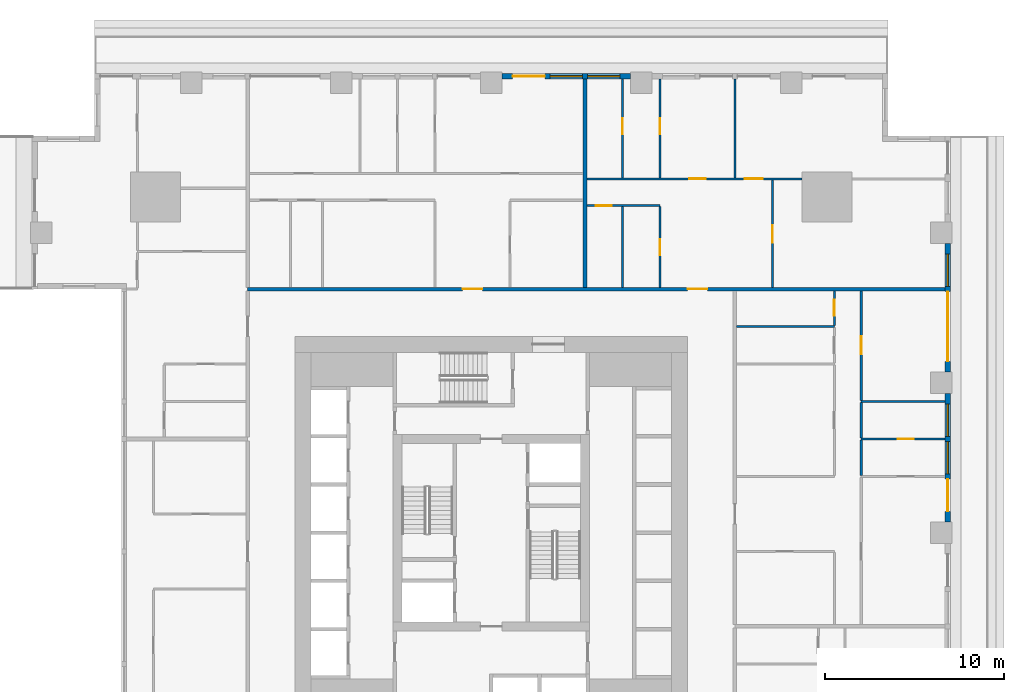
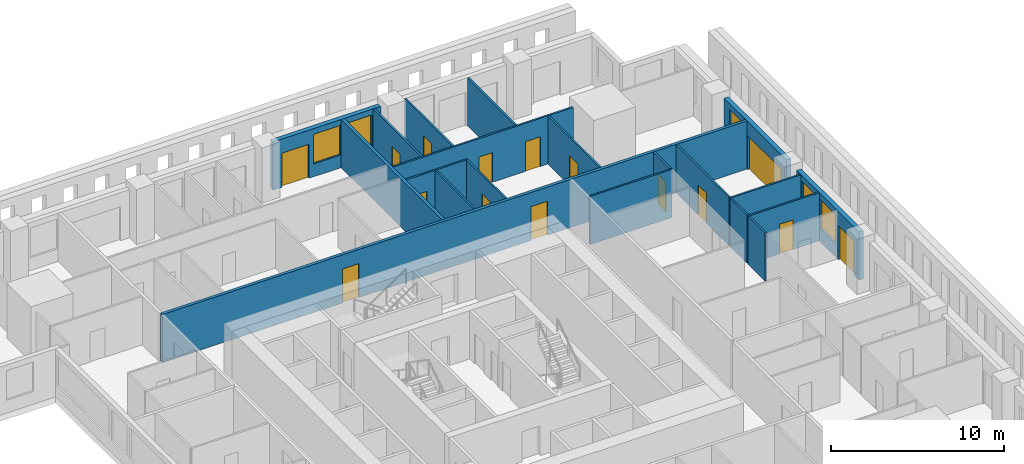
# One storey, part 8 of 14: 20 walls, 15 doors, 5 windows, 20 openings.
"""IFC4 building model written with IfcOpenShell, lengths in metres."""

from ifc_helpers import new_model, si_unit, direction, frame, frame_2d, origin, place, context, subcontext, project, spatial, rectangle, extrude, material, layer, layer_set, type_object, element, fill, save


model = new_model("IFC4")

# Units and contexts
model_context = context("Model", 3, precision=1e-05, world=origin(), true_north=direction((0.0, 1.0)))
body_context = subcontext(model_context, "Body", "Model", "MODEL_VIEW")
ifc_project = project(units=[si_unit("LENGTHUNIT", "METRE"), si_unit("AREAUNIT", "SQUARE_METRE"), si_unit("VOLUMEUNIT", "CUBIC_METRE"), si_unit("PLANEANGLEUNIT", "RADIAN"), si_unit("MASSUNIT", "GRAM", prefix="KILO")], contexts=[model_context])

# Site, building, storey
site_placement = place(None, origin())
site = spatial("IfcSite", under=ifc_project, at=site_placement, CompositionType="ELEMENT")
building_placement = place(site_placement, origin())
building = spatial("IfcBuilding", under=site, at=building_placement, Name="Khepri Terraces", CompositionType="ELEMENT")
storey_placement = place(building_placement, frame((0.0, 0.0, 122.10009765625)))
storey = spatial("IfcBuildingStorey", under=building, at=storey_placement, Name="L29", CompositionType="ELEMENT", Elevation=122.10009765625)

# Wall, openings, doors
ifc_material_1 = material(Name="Fire-rated gypsum plasterboard partition, mineral wool")
ifc_layer_1 = layer(ifc_material_1, 0.199951171875, Name="Fire-rated gypsum plasterboard partition, mineral wool")
ifc_layer_set_1 = layer_set([ifc_layer_1], Name="Fire-rated gypsum plasterboard partition, mineral wool")
wall_type_1 = type_object("IfcWallType", Name="WL-CORR-200", PredefinedType="PARTITIONING", material=ifc_layer_set_1)
wall_1_placement = place(storey_placement, frame((-13.64990234375, 13.64990234375, 0.0), z_axis=(0.0, 0.0, 1.0), x_axis=(1.0, 0.0, 0.0)))
wall_1 = element("IfcWall", 1, at=wall_1_placement, inside=storey, type_object=wall_type_1, Name="Partition P-069 L29", PredefinedType="PARTITIONING", context=body_context, shape_type="SweptSolid", body=[
    extrude(rectangle(XDim=39.06982421875, YDim=0.199951171875, at=frame_2d((19.534912109375, 0.0))), origin(), (0.0, 0.0, 1.0), 3.39990234375),
])
opening_1_placement = place(wall_1_placement, frame((24.64990234375, 0.0, 0.0)))
opening_1 = element("IfcOpeningElement", 2, at=opening_1_placement, cuts=wall_1, Name="Opening D1", PredefinedType="OPENING", context=body_context, shape_type="SweptSolid", body=[
    extrude(rectangle(XDim=1.10009765625, YDim=2.39990234375, at=frame_2d((0.550048828125, 1.199951171875))), frame((0.0, 0.10986328125, 0.0), z_axis=(0.0, -1.0, 0.0), x_axis=(1.0, 0.0, 0.0)), (0.0, 0.0, 1.0), 0.219970703125),
])
opening_2_placement = place(wall_1_placement, frame((12.050048828125, 0.0, 0.0)))
opening_2 = element("IfcOpeningElement", 3, at=opening_2_placement, cuts=wall_1, Name="Opening D1", PredefinedType="OPENING", context=body_context, shape_type="SweptSolid", body=[
    extrude(rectangle(XDim=1.10009765625, YDim=2.39990234375, at=frame_2d((0.550048828125, 1.199951171875))), frame((0.0, 0.10986328125, 0.0), z_axis=(0.0, -1.0, 0.0), x_axis=(1.0, 0.0, 0.0)), (0.0, 0.0, 1.0), 0.219970703125),
])
ifc_material_2 = material(Name="Solid-core timber door leaf, flat entrance door", Category="wood")
door_type_1 = type_object("IfcDoorType", Name="DR-ENT-1100", OperationType="NOTDEFINED", PredefinedType="DOOR", material=ifc_material_2)
door_1_placement = place(opening_1_placement, origin())
door_1 = element("IfcDoor", 4, at=door_1_placement, inside=storey, type_object=door_type_1, Name="Flat C1 entrance door", OperationType="SINGLE_SWING_RIGHT", OverallHeight=2.39990234375, OverallWidth=1.10009765625, PredefinedType="DOOR", context=body_context, shape_type="SweptSolid", body=[
    extrude(rectangle(XDim=1.10009765625, YDim=2.39990234375, at=frame_2d((0.550048828125, 1.199951171875))), frame((0.0, 0.02490234375, 0.0), z_axis=(0.0, -1.0, 0.0), x_axis=(1.0, 0.0, 0.0)), (0.0, 0.0, 1.0), 0.050048828125),
])
fill(opening_1, door_1)
door_2_placement = place(opening_2_placement, origin())
door_2 = element("IfcDoor", 5, at=door_2_placement, inside=storey, type_object=door_type_1, Name="Flat C2 entrance door", OperationType="SINGLE_SWING_LEFT", OverallHeight=2.39990234375, OverallWidth=1.10009765625, PredefinedType="DOOR", context=body_context, shape_type="SweptSolid", body=[
    extrude(rectangle(XDim=1.10009765625, YDim=2.39990234375, at=frame_2d((0.550048828125, 1.199951171875))), frame((0.0, 0.02490234375, 0.0), z_axis=(0.0, -1.0, 0.0), x_axis=(1.0, 0.0, 0.0)), (0.0, 0.0, 1.0), 0.050048828125),
])
fill(opening_2, door_2)

# Wall
wall_2_placement = place(storey_placement, frame((5.25, 13.75, 0.0), z_axis=(0.0, 0.0, 1.0), x_axis=(0.0, 1.0, 0.0)))
element("IfcWall", 6, at=wall_2_placement, inside=storey, type_object=wall_type_1, Name="Partition P-076 L29", PredefinedType="PARTITIONING", context=body_context, shape_type="SweptSolid", body=[
    extrude(rectangle(XDim=11.669921875, YDim=0.199951171875, at=frame_2d((5.8349609375, 0.0))), origin(), (0.0, 0.0, 1.0), 3.39990234375),
])

# Wall, openings, door, windows
ifc_material_3 = material(Name="Precast concrete C50/60 warm stone", Category="masonry")
ifc_layer_2 = layer(ifc_material_3, 0.300048828125, Name="Precast concrete C50/60 warm stone", Category="masonry")
ifc_layer_set_2 = layer_set([ifc_layer_2], Name="Precast concrete C50/60 warm stone")
wall_type_2 = type_object("IfcWallType", Name="WL-EXT-PRECAST-300", PredefinedType="STANDARD", material=ifc_layer_set_2)
wall_3_placement = place(storey_placement, frame((25.570068359375, 0.60009765625, 0.0), z_axis=(0.0, 0.0, 1.0), x_axis=(0.0, 1.0, 0.0)))
wall_3 = element("IfcWall", 7, at=wall_3_placement, inside=storey, type_object=wall_type_2, Name="External wall L29 E", PredefinedType="STANDARD", context=body_context, shape_type="SweptSolid", body=[
    extrude(rectangle(XDim=7.199951171875, YDim=0.300048828125, at=frame_2d((3.60009765625, 0.0))), origin(), (0.0, 0.0, 1.0), 3.39990234375),
])
opening_3_placement = place(wall_3_placement, frame((0.60009765625, 0.0, 0.0)))
opening_3 = element("IfcOpeningElement", 8, at=opening_3_placement, cuts=wall_3, Name="Opening ED-L29-05", PredefinedType="OPENING", context=body_context, shape_type="SweptSolid", body=[
    extrude(rectangle(XDim=1.800048828125, YDim=2.39990234375, at=frame_2d((0.89990234375, 1.199951171875))), frame((0.0, 0.16015625, 0.0), z_axis=(0.0, -1.0, 0.0), x_axis=(1.0, 0.0, 0.0)), (0.0, 0.0, 1.0), 0.320068359375),
])
opening_4_placement = place(wall_3_placement, frame((2.699951171875, 0.0, 0.89990234375)))
opening_4 = element("IfcOpeningElement", 9, at=opening_4_placement, cuts=wall_3, Name="Opening W1", PredefinedType="OPENING", context=body_context, shape_type="SweptSolid", body=[
    extrude(rectangle(XDim=1.800048828125, YDim=2.10009765625, at=frame_2d((0.89990234375, 1.050048828125))), frame((0.0, 0.16015625, 0.0), z_axis=(0.0, -1.0, 0.0), x_axis=(1.0, 0.0, 0.0)), (0.0, 0.0, 1.0), 0.320068359375),
])
opening_5_placement = place(wall_3_placement, frame((4.800048828125, 0.0, 0.89990234375)))
opening_5 = element("IfcOpeningElement", 10, at=opening_5_placement, cuts=wall_3, Name="Opening W1", PredefinedType="OPENING", context=body_context, shape_type="SweptSolid", body=[
    extrude(rectangle(XDim=1.800048828125, YDim=2.10009765625, at=frame_2d((0.89990234375, 1.050048828125))), frame((0.0, 0.16015625, 0.0), z_axis=(0.0, -1.0, 0.0), x_axis=(1.0, 0.0, 0.0)), (0.0, 0.0, 1.0), 0.320068359375),
])
ifc_material_4 = material(Name="Anodised aluminium bronze glazed door", Category="aluminium")
door_type_2 = type_object("IfcDoorType", Name="DR-BAL-SLIDE-1800x2400", OperationType="NOTDEFINED", PredefinedType="DOOR", material=ifc_material_4)
door_3_placement = place(opening_3_placement, origin())
door_3 = element("IfcDoor", 11, at=door_3_placement, inside=storey, type_object=door_type_2, Name="Balcony door L29 E", OperationType="SLIDING_TO_LEFT", OverallHeight=2.39990234375, OverallWidth=1.800048828125, PredefinedType="DOOR", context=body_context, shape_type="SweptSolid", body=[
    extrude(rectangle(XDim=1.800048828125, YDim=2.39990234375, at=frame_2d((0.89990234375, 1.199951171875))), frame((0.0, 0.02490234375, 0.0), z_axis=(0.0, -1.0, 0.0), x_axis=(1.0, 0.0, 0.0)), (0.0, 0.0, 1.0), 0.050048828125),
])
fill(opening_3, door_3)
ifc_material_5 = material(Name="Clear glass", Category="glass")
window_type = type_object("IfcWindowType", Name="WIN-RES-1800x2100", PartitioningType="SINGLE_PANEL", PredefinedType="WINDOW", material=ifc_material_5)
window_1_placement = place(opening_4_placement, origin())
window_1 = element("IfcWindow", 12, at=window_1_placement, inside=storey, type_object=window_type, Name="Window L29 E", OverallHeight=2.10009765625, OverallWidth=1.800048828125, PartitioningType="SINGLE_PANEL", PredefinedType="WINDOW", context=body_context, shape_type="SweptSolid", body=[
    extrude(rectangle(XDim=1.800048828125, YDim=2.10009765625, at=frame_2d((0.89990234375, 1.050048828125))), frame((0.0, 0.030029296875, 0.0), z_axis=(0.0, -1.0, 0.0), x_axis=(1.0, 0.0, 0.0)), (0.0, 0.0, 1.0), 0.06005859375),
])
fill(opening_4, window_1)
window_2_placement = place(opening_5_placement, origin())
window_2 = element("IfcWindow", 13, at=window_2_placement, inside=storey, type_object=window_type, Name="Window L29 E", OverallHeight=2.10009765625, OverallWidth=1.800048828125, PartitioningType="SINGLE_PANEL", PredefinedType="WINDOW", context=body_context, shape_type="SweptSolid", body=[
    extrude(rectangle(XDim=1.800048828125, YDim=2.10009765625, at=frame_2d((0.89990234375, 1.050048828125))), frame((0.0, 0.030029296875, 0.0), z_axis=(0.0, -1.0, 0.0), x_axis=(1.0, 0.0, 0.0)), (0.0, 0.0, 1.0), 0.06005859375),
])
fill(opening_5, window_2)

# Wall, openings, door, window
wall_4_placement = place(storey_placement, frame((25.570068359375, 9.0, 0.0), z_axis=(0.0, 0.0, 1.0), x_axis=(0.0, 1.0, 0.0)))
wall_4 = element("IfcWall", 14, at=wall_4_placement, inside=storey, type_object=wall_type_2, Name="External wall L29 E", PredefinedType="STANDARD", context=body_context, shape_type="SweptSolid", body=[
    extrude(rectangle(XDim=7.199951171875, YDim=0.300048828125, at=frame_2d((3.60009765625, 0.0))), origin(), (0.0, 0.0, 1.0), 3.39990234375),
])
opening_6_placement = place(wall_4_placement, frame((0.60009765625, 0.0, 0.0)))
opening_6 = element("IfcOpeningElement", 15, at=opening_6_placement, cuts=wall_4, Name="Opening ED-L29-06", PredefinedType="OPENING", context=body_context, shape_type="SweptSolid", body=[
    extrude(rectangle(XDim=3.89990234375, YDim=2.39990234375, at=frame_2d((1.949951171875, 1.199951171875))), frame((0.0, 0.16015625, 0.0), z_axis=(0.0, -1.0, 0.0), x_axis=(1.0, 0.0, 0.0)), (0.0, 0.0, 1.0), 0.320068359375),
])
opening_7_placement = place(wall_4_placement, frame((4.800048828125, 0.0, 0.89990234375)))
opening_7 = element("IfcOpeningElement", 16, at=opening_7_placement, cuts=wall_4, Name="Opening W1", PredefinedType="OPENING", context=body_context, shape_type="SweptSolid", body=[
    extrude(rectangle(XDim=1.800048828125, YDim=2.10009765625, at=frame_2d((0.89990234375, 1.050048828125))), frame((0.0, 0.16015625, 0.0), z_axis=(0.0, -1.0, 0.0), x_axis=(1.0, 0.0, 0.0)), (0.0, 0.0, 1.0), 0.320068359375),
])
door_type_3 = type_object("IfcDoorType", Name="DR-BAL-SLIDE-3900x2400", OperationType="NOTDEFINED", PredefinedType="DOOR", material=ifc_material_4)
door_4_placement = place(opening_6_placement, origin())
door_4 = element("IfcDoor", 17, at=door_4_placement, inside=storey, type_object=door_type_3, Name="Balcony door L29 E", OperationType="SLIDING_TO_LEFT", OverallHeight=2.39990234375, OverallWidth=3.89990234375, PredefinedType="DOOR", context=body_context, shape_type="SweptSolid", body=[
    extrude(rectangle(XDim=3.89990234375, YDim=2.39990234375, at=frame_2d((1.949951171875, 1.199951171875))), frame((0.0, 0.02490234375, 0.0), z_axis=(0.0, -1.0, 0.0), x_axis=(1.0, 0.0, 0.0)), (0.0, 0.0, 1.0), 0.050048828125),
])
fill(opening_6, door_4)
window_3_placement = place(opening_7_placement, origin())
window_3 = element("IfcWindow", 18, at=window_3_placement, inside=storey, type_object=window_type, Name="Window L29 E", OverallHeight=2.10009765625, OverallWidth=1.800048828125, PartitioningType="SINGLE_PANEL", PredefinedType="WINDOW", context=body_context, shape_type="SweptSolid", body=[
    extrude(rectangle(XDim=1.800048828125, YDim=2.10009765625, at=frame_2d((0.89990234375, 1.050048828125))), frame((0.0, 0.030029296875, 0.0), z_axis=(0.0, -1.0, 0.0), x_axis=(1.0, 0.0, 0.0)), (0.0, 0.0, 1.0), 0.06005859375),
])
fill(opening_7, window_3)

# Wall, openings, door, windows
wall_5_placement = place(storey_placement, frame((7.800048828125, 25.570068359375, 0.0), z_axis=(0.0, 0.0, 1.0), x_axis=(-1.0, 0.0, 0.0)))
wall_5 = element("IfcWall", 19, at=wall_5_placement, inside=storey, type_object=wall_type_2, Name="External wall L29 N", PredefinedType="STANDARD", context=body_context, shape_type="SweptSolid", body=[
    extrude(rectangle(XDim=7.199951171875, YDim=0.300048828125, at=frame_2d((3.60009765625, 0.0))), origin(), (0.0, 0.0, 1.0), 3.39990234375),
])
opening_8_placement = place(wall_5_placement, frame((0.60009765625, 0.0, 0.89990234375)))
opening_8 = element("IfcOpeningElement", 20, at=opening_8_placement, cuts=wall_5, Name="Opening W1", PredefinedType="OPENING", context=body_context, shape_type="SweptSolid", body=[
    extrude(rectangle(XDim=1.800048828125, YDim=2.10009765625, at=frame_2d((0.89990234375, 1.050048828125))), frame((0.0, 0.16015625, 0.0), z_axis=(0.0, -1.0, 0.0), x_axis=(1.0, 0.0, 0.0)), (0.0, 0.0, 1.0), 0.320068359375),
])
opening_9_placement = place(wall_5_placement, frame((2.699951171875, 0.0, 0.89990234375)))
opening_9 = element("IfcOpeningElement", 21, at=opening_9_placement, cuts=wall_5, Name="Opening W1", PredefinedType="OPENING", context=body_context, shape_type="SweptSolid", body=[
    extrude(rectangle(XDim=1.800048828125, YDim=2.10009765625, at=frame_2d((0.89990234375, 1.050048828125))), frame((0.0, 0.16015625, 0.0), z_axis=(0.0, -1.0, 0.0), x_axis=(1.0, 0.0, 0.0)), (0.0, 0.0, 1.0), 0.320068359375),
])
opening_10_placement = place(wall_5_placement, frame((4.800048828125, 0.0, 0.0)))
opening_10 = element("IfcOpeningElement", 22, at=opening_10_placement, cuts=wall_5, Name="Opening ED-L29-11", PredefinedType="OPENING", context=body_context, shape_type="SweptSolid", body=[
    extrude(rectangle(XDim=1.800048828125, YDim=2.39990234375, at=frame_2d((0.89990234375, 1.199951171875))), frame((0.0, 0.16015625, 0.0), z_axis=(0.0, -1.0, 0.0), x_axis=(1.0, 0.0, 0.0)), (0.0, 0.0, 1.0), 0.320068359375),
])
door_5_placement = place(opening_10_placement, origin())
door_5 = element("IfcDoor", 23, at=door_5_placement, inside=storey, type_object=door_type_2, Name="Balcony door L29 N", OperationType="SLIDING_TO_RIGHT", OverallHeight=2.39990234375, OverallWidth=1.800048828125, PredefinedType="DOOR", context=body_context, shape_type="SweptSolid", body=[
    extrude(rectangle(XDim=1.800048828125, YDim=2.39990234375, at=frame_2d((0.89990234375, 1.199951171875))), frame((0.0, 0.02490234375, 0.0), z_axis=(0.0, -1.0, 0.0), x_axis=(1.0, 0.0, 0.0)), (0.0, 0.0, 1.0), 0.050048828125),
])
fill(opening_10, door_5)
window_4_placement = place(opening_8_placement, origin())
window_4 = element("IfcWindow", 24, at=window_4_placement, inside=storey, type_object=window_type, Name="Window L29 N", OverallHeight=2.10009765625, OverallWidth=1.800048828125, PartitioningType="SINGLE_PANEL", PredefinedType="WINDOW", context=body_context, shape_type="SweptSolid", body=[
    extrude(rectangle(XDim=1.800048828125, YDim=2.10009765625, at=frame_2d((0.89990234375, 1.050048828125))), frame((0.0, 0.030029296875, 0.0), z_axis=(0.0, -1.0, 0.0), x_axis=(1.0, 0.0, 0.0)), (0.0, 0.0, 1.0), 0.06005859375),
])
fill(opening_8, window_4)
window_5_placement = place(opening_9_placement, origin())
window_5 = element("IfcWindow", 25, at=window_5_placement, inside=storey, type_object=window_type, Name="Window L29 N", OverallHeight=2.10009765625, OverallWidth=1.800048828125, PartitioningType="SINGLE_PANEL", PredefinedType="WINDOW", context=body_context, shape_type="SweptSolid", body=[
    extrude(rectangle(XDim=1.800048828125, YDim=2.10009765625, at=frame_2d((0.89990234375, 1.050048828125))), frame((0.0, 0.030029296875, 0.0), z_axis=(0.0, -1.0, 0.0), x_axis=(1.0, 0.0, 0.0)), (0.0, 0.0, 1.0), 0.06005859375),
])
fill(opening_9, window_5)

# Wall
ifc_material_6 = material(Name="Gypsum plasterboard partition")
ifc_layer_3 = layer(ifc_material_6, 0.1201171875, Name="Gypsum plasterboard partition")
ifc_layer_set_3 = layer_set([ifc_layer_3], Name="Gypsum plasterboard partition")
wall_type_3 = type_object("IfcWallType", Name="WL-PART-120", PredefinedType="PARTITIONING", material=ifc_layer_set_3)
wall_6_placement = place(storey_placement, frame((20.719970703125, 3.2099609375, 0.0), z_axis=(0.0, 0.0, 1.0), x_axis=(0.0, 1.0, 0.0)))
element("IfcWall", 26, at=wall_6_placement, inside=storey, type_object=wall_type_3, Name="Partition P-053 L29", PredefinedType="PARTITIONING", context=body_context, shape_type="SweptSolid", body=[
    extrude(rectangle(XDim=1.97998046875, YDim=0.1201171875, at=frame_2d((0.989990234375, 0.0))), origin(), (0.0, 0.0, 1.0), 3.39990234375),
])

# Wall, opening, door
wall_7_placement = place(storey_placement, frame((20.719970703125, 5.25, 0.0), z_axis=(0.0, 0.0, 1.0), x_axis=(1.0, 0.0, 0.0)))
wall_7 = element("IfcWall", 27, at=wall_7_placement, inside=storey, type_object=wall_type_3, Name="Partition P-055 L29", PredefinedType="PARTITIONING", context=body_context, shape_type="SweptSolid", body=[
    extrude(rectangle(XDim=4.699951171875, YDim=0.1201171875, at=frame_2d((2.35009765625, 0.0))), origin(), (0.0, 0.0, 1.0), 3.39990234375),
])
opening_11_placement = place(wall_7_placement, frame((2.050048828125, 0.0, 0.0)))
opening_11 = element("IfcOpeningElement", 28, at=opening_11_placement, cuts=wall_7, Name="Opening D4", PredefinedType="OPENING", context=body_context, shape_type="SweptSolid", body=[
    extrude(rectangle(XDim=0.89990234375, YDim=2.10009765625, at=frame_2d((0.449951171875, 1.050048828125))), frame((0.0, 0.070068359375, 0.0), z_axis=(0.0, -1.0, 0.0), x_axis=(1.0, 0.0, 0.0)), (0.0, 0.0, 1.0), 0.14013671875),
])
ifc_material_7 = material(Name="Timber door leaf, moisture resistant", Category="wood")
door_type_4 = type_object("IfcDoorType", Name="DR-WET-900", OperationType="NOTDEFINED", PredefinedType="DOOR", material=ifc_material_7)
door_6_placement = place(opening_11_placement, origin())
door_6 = element("IfcDoor", 29, at=door_6_placement, inside=storey, type_object=door_type_4, Name="Door Bathroom", OperationType="SINGLE_SWING_RIGHT", OverallHeight=2.10009765625, OverallWidth=0.89990234375, PredefinedType="DOOR", context=body_context, shape_type="SweptSolid", body=[
    extrude(rectangle(XDim=0.89990234375, YDim=2.10009765625, at=frame_2d((0.449951171875, 1.050048828125))), frame((0.0, 0.02490234375, 0.0), z_axis=(0.0, -1.0, 0.0), x_axis=(1.0, 0.0, 0.0)), (0.0, 0.0, 1.0), 0.050048828125),
])
fill(opening_11, door_6)

# Walls
wall_8_placement = place(storey_placement, frame((20.719970703125, 5.31005859375, 0.0), z_axis=(0.0, 0.0, 1.0), x_axis=(0.0, 1.0, 0.0)))
element("IfcWall", 30, at=wall_8_placement, inside=storey, type_object=wall_type_3, Name="Partition P-056 L29", PredefinedType="PARTITIONING", context=body_context, shape_type="SweptSolid", body=[
    extrude(rectangle(XDim=1.97998046875, YDim=0.1201171875, at=frame_2d((0.989990234375, 0.0))), origin(), (0.0, 0.0, 1.0), 3.39990234375),
])
wall_9_placement = place(storey_placement, frame((20.719970703125, 7.35009765625, 0.0), z_axis=(0.0, 0.0, 1.0), x_axis=(1.0, 0.0, 0.0)))
element("IfcWall", 31, at=wall_9_placement, inside=storey, type_object=wall_type_3, Name="Partition P-060 L29", PredefinedType="PARTITIONING", context=body_context, shape_type="SweptSolid", body=[
    extrude(rectangle(XDim=4.699951171875, YDim=0.1201171875, at=frame_2d((2.35009765625, 0.0))), origin(), (0.0, 0.0, 1.0), 3.39990234375),
])

# Wall, opening, door
wall_10_placement = place(storey_placement, frame((20.719970703125, 7.409912109375, 0.0), z_axis=(0.0, 0.0, 1.0), x_axis=(0.0, 1.0, 0.0)))
wall_10 = element("IfcWall", 32, at=wall_10_placement, inside=storey, type_object=wall_type_3, Name="Partition P-062 L29", PredefinedType="PARTITIONING", context=body_context, shape_type="SweptSolid", body=[
    extrude(rectangle(XDim=6.14013671875, YDim=0.1201171875, at=frame_2d((3.070068359375, 0.0))), origin(), (0.0, 0.0, 1.0), 3.39990234375),
])
opening_12_placement = place(wall_10_placement, frame((2.590087890625, 0.0, 0.0)))
opening_12 = element("IfcOpeningElement", 33, at=opening_12_placement, cuts=wall_10, Name="Opening D2", PredefinedType="OPENING", context=body_context, shape_type="SweptSolid", body=[
    extrude(rectangle(XDim=1.0, YDim=2.10009765625, at=frame_2d((0.5, 1.050048828125))), frame((0.0, 0.070068359375, 0.0), z_axis=(0.0, -1.0, 0.0), x_axis=(1.0, 0.0, 0.0)), (0.0, 0.0, 1.0), 0.14013671875),
])
ifc_material_8 = material(Name="Timber door leaf, living room door", Category="wood")
door_type_5 = type_object("IfcDoorType", Name="DR-INT-1000", OperationType="NOTDEFINED", PredefinedType="DOOR", material=ifc_material_8)
door_7_placement = place(opening_12_placement, frame((1.0, 0.0, 0.0), z_axis=(0.0, 0.0, 1.0), x_axis=(-1.0, 0.0, 0.0)))
door_7 = element("IfcDoor", 34, at=door_7_placement, inside=storey, type_object=door_type_5, Name="Door Living Room", OperationType="SINGLE_SWING_LEFT", OverallHeight=2.10009765625, OverallWidth=1.0, PredefinedType="DOOR", context=body_context, shape_type="SweptSolid", body=[
    extrude(rectangle(XDim=1.0, YDim=2.10009765625, at=frame_2d((0.5, 1.050048828125))), frame((0.0, 0.02490234375, 0.0), z_axis=(0.0, -1.0, 0.0), x_axis=(1.0, 0.0, 0.0)), (0.0, 0.0, 1.0), 0.050048828125),
])
fill(opening_12, door_7)

# Wall
wall_11_placement = place(storey_placement, frame((13.75, 11.550048828125, 0.0), z_axis=(0.0, 0.0, 1.0), x_axis=(1.0, 0.0, 0.0)))
element("IfcWall", 35, at=wall_11_placement, inside=storey, type_object=wall_type_3, Name="Partition P-066 L29", PredefinedType="PARTITIONING", context=body_context, shape_type="SweptSolid", body=[
    extrude(rectangle(XDim=5.469970703125, YDim=0.1201171875, at=frame_2d((2.73486328125, 0.0))), origin(), (0.0, 0.0, 1.0), 3.39990234375),
])

# Wall, opening, door
wall_12_placement = place(storey_placement, frame((19.219970703125, 11.610107421875, 0.0), z_axis=(0.0, 0.0, 1.0), x_axis=(0.0, 1.0, 0.0)))
wall_12 = element("IfcWall", 36, at=wall_12_placement, inside=storey, type_object=wall_type_3, Name="Partition P-067 L29", PredefinedType="PARTITIONING", context=body_context, shape_type="SweptSolid", body=[
    extrude(rectangle(XDim=1.93994140625, YDim=0.1201171875, at=frame_2d((0.969970703125, 0.0))), origin(), (0.0, 0.0, 1.0), 3.39990234375),
])
opening_13_placement = place(wall_12_placement, frame((0.5400390625, 0.0, 0.0)))
opening_13 = element("IfcOpeningElement", 37, at=opening_13_placement, cuts=wall_12, Name="Opening D3", PredefinedType="OPENING", context=body_context, shape_type="SweptSolid", body=[
    extrude(rectangle(XDim=0.89990234375, YDim=2.10009765625, at=frame_2d((0.449951171875, 1.050048828125))), frame((0.0, 0.070068359375, 0.0), z_axis=(0.0, -1.0, 0.0), x_axis=(1.0, 0.0, 0.0)), (0.0, 0.0, 1.0), 0.14013671875),
])
ifc_material_9 = material(Name="Timber door leaf", Category="wood")
door_type_6 = type_object("IfcDoorType", Name="DR-INT-900", OperationType="NOTDEFINED", PredefinedType="DOOR", material=ifc_material_9)
door_8_placement = place(opening_13_placement, origin())
door_8 = element("IfcDoor", 38, at=door_8_placement, inside=storey, type_object=door_type_6, Name="Door Utility Room", OperationType="SINGLE_SWING_RIGHT", OverallHeight=2.10009765625, OverallWidth=0.89990234375, PredefinedType="DOOR", context=body_context, shape_type="SweptSolid", body=[
    extrude(rectangle(XDim=0.89990234375, YDim=2.10009765625, at=frame_2d((0.449951171875, 1.050048828125))), frame((0.0, 0.02490234375, 0.0), z_axis=(0.0, -1.0, 0.0), x_axis=(1.0, 0.0, 0.0)), (0.0, 0.0, 1.0), 0.050048828125),
])
fill(opening_13, door_8)

# Wall
wall_13_placement = place(storey_placement, frame((7.35009765625, 13.75, 0.0), z_axis=(0.0, 0.0, 1.0), x_axis=(0.0, 1.0, 0.0)))
element("IfcWall", 39, at=wall_13_placement, inside=storey, type_object=wall_type_3, Name="Partition P-077 L29", PredefinedType="PARTITIONING", context=body_context, shape_type="SweptSolid", body=[
    extrude(rectangle(XDim=4.510009765625, YDim=0.1201171875, at=frame_2d((2.2548828125, 0.0))), origin(), (0.0, 0.0, 1.0), 3.39990234375),
])

# Wall, opening, door
wall_14_placement = place(storey_placement, frame((9.449951171875, 13.75, 0.0), z_axis=(0.0, 0.0, 1.0), x_axis=(0.0, 1.0, 0.0)))
wall_14 = element("IfcWall", 40, at=wall_14_placement, inside=storey, type_object=wall_type_3, Name="Partition P-078 L29", PredefinedType="PARTITIONING", context=body_context, shape_type="SweptSolid", body=[
    extrude(rectangle(XDim=4.510009765625, YDim=0.1201171875, at=frame_2d((2.2548828125, 0.0))), origin(), (0.0, 0.0, 1.0), 3.39990234375),
])
opening_14_placement = place(wall_14_placement, frame((1.784912109375, 0.0, 0.0)))
opening_14 = element("IfcOpeningElement", 41, at=opening_14_placement, cuts=wall_14, Name="Opening D4", PredefinedType="OPENING", context=body_context, shape_type="SweptSolid", body=[
    extrude(rectangle(XDim=0.89990234375, YDim=2.10009765625, at=frame_2d((0.449951171875, 1.050048828125))), frame((0.0, 0.070068359375, 0.0), z_axis=(0.0, -1.0, 0.0), x_axis=(1.0, 0.0, 0.0)), (0.0, 0.0, 1.0), 0.14013671875),
])
door_9_placement = place(opening_14_placement, origin())
door_9 = element("IfcDoor", 42, at=door_9_placement, inside=storey, type_object=door_type_4, Name="Door Guest Bathroom", OperationType="SINGLE_SWING_LEFT", OverallHeight=2.10009765625, OverallWidth=0.89990234375, PredefinedType="DOOR", context=body_context, shape_type="SweptSolid", body=[
    extrude(rectangle(XDim=0.89990234375, YDim=2.10009765625, at=frame_2d((0.449951171875, 1.050048828125))), frame((0.0, 0.02490234375, 0.0), z_axis=(0.0, -1.0, 0.0), x_axis=(1.0, 0.0, 0.0)), (0.0, 0.0, 1.0), 0.050048828125),
])
fill(opening_14, door_9)

wall_15_placement = place(storey_placement, frame((15.75, 13.75, 0.0), z_axis=(0.0, 0.0, 1.0), x_axis=(0.0, 1.0, 0.0)))
wall_15 = element("IfcWall", 43, at=wall_15_placement, inside=storey, type_object=wall_type_3, Name="Partition P-079 L29", PredefinedType="PARTITIONING", context=body_context, shape_type="SweptSolid", body=[
    extrude(rectangle(XDim=6.010009765625, YDim=0.1201171875, at=frame_2d((3.0048828125, 0.0))), origin(), (0.0, 0.0, 1.0), 3.39990234375),
])
opening_15_placement = place(wall_15_placement, frame((2.485107421875, 0.0, 0.0)))
opening_15 = element("IfcOpeningElement", 44, at=opening_15_placement, cuts=wall_15, Name="Opening D2", PredefinedType="OPENING", context=body_context, shape_type="SweptSolid", body=[
    extrude(rectangle(XDim=1.0, YDim=2.10009765625, at=frame_2d((0.5, 1.050048828125))), frame((0.0, 0.070068359375, 0.0), z_axis=(0.0, -1.0, 0.0), x_axis=(1.0, 0.0, 0.0)), (0.0, 0.0, 1.0), 0.14013671875),
])
door_10_placement = place(opening_15_placement, frame((1.0, 0.0, 0.0), z_axis=(0.0, 0.0, 1.0), x_axis=(-1.0, 0.0, 0.0)))
door_10 = element("IfcDoor", 45, at=door_10_placement, inside=storey, type_object=door_type_5, Name="Door Family Room", OperationType="SINGLE_SWING_RIGHT", OverallHeight=2.10009765625, OverallWidth=1.0, PredefinedType="DOOR", context=body_context, shape_type="SweptSolid", body=[
    extrude(rectangle(XDim=1.0, YDim=2.10009765625, at=frame_2d((0.5, 1.050048828125))), frame((0.0, 0.02490234375, 0.0), z_axis=(0.0, -1.0, 0.0), x_axis=(1.0, 0.0, 0.0)), (0.0, 0.0, 1.0), 0.050048828125),
])
fill(opening_15, door_10)

wall_16_placement = place(storey_placement, frame((5.35009765625, 18.320068359375, 0.0), z_axis=(0.0, 0.0, 1.0), x_axis=(1.0, 0.0, 0.0)))
wall_16 = element("IfcWall", 46, at=wall_16_placement, inside=storey, type_object=wall_type_3, Name="Partition P-082 L29", PredefinedType="PARTITIONING", context=body_context, shape_type="SweptSolid", body=[
    extrude(rectangle(XDim=4.099853515625, YDim=0.1201171875, at=frame_2d((2.0498046875, 0.0))), origin(), (0.0, 0.0, 1.0), 3.39990234375),
])
opening_16_placement = place(wall_16_placement, frame((0.5, 0.0, 0.0)))
opening_16 = element("IfcOpeningElement", 47, at=opening_16_placement, cuts=wall_16, Name="Opening D3", PredefinedType="OPENING", context=body_context, shape_type="SweptSolid", body=[
    extrude(rectangle(XDim=0.89990234375, YDim=2.10009765625, at=frame_2d((0.449951171875, 1.050048828125))), frame((0.0, 0.070068359375, 0.0), z_axis=(0.0, -1.0, 0.0), x_axis=(1.0, 0.0, 0.0)), (0.0, 0.0, 1.0), 0.14013671875),
])
door_11_placement = place(opening_16_placement, frame((0.89990234375, 0.0, 0.0), z_axis=(0.0, 0.0, 1.0), x_axis=(-1.0, 0.0, 0.0)))
door_11 = element("IfcDoor", 48, at=door_11_placement, inside=storey, type_object=door_type_6, Name="Door Kitchen", OperationType="SINGLE_SWING_RIGHT", OverallHeight=2.10009765625, OverallWidth=0.89990234375, PredefinedType="DOOR", context=body_context, shape_type="SweptSolid", body=[
    extrude(rectangle(XDim=0.89990234375, YDim=2.10009765625, at=frame_2d((0.449951171875, 1.050048828125))), frame((0.0, 0.02490234375, 0.0), z_axis=(0.0, -1.0, 0.0), x_axis=(1.0, 0.0, 0.0)), (0.0, 0.0, 1.0), 0.050048828125),
])
fill(opening_16, door_11)

# Wall, openings, doors
wall_17_placement = place(storey_placement, frame((5.35009765625, 19.820068359375, 0.0), z_axis=(0.0, 0.0, 1.0), x_axis=(1.0, 0.0, 0.0)))
wall_17 = element("IfcWall", 49, at=wall_17_placement, inside=storey, type_object=wall_type_3, Name="Partition P-086 L29", PredefinedType="PARTITIONING", context=body_context, shape_type="SweptSolid", body=[
    extrude(rectangle(XDim=12.0498046875, YDim=0.1201171875, at=frame_2d((6.02490234375, 0.0))), origin(), (0.0, 0.0, 1.0), 3.39990234375),
])
opening_17_placement = place(wall_17_placement, frame((8.85009765625, 0.0, 0.0)))
opening_17 = element("IfcOpeningElement", 50, at=opening_17_placement, cuts=wall_17, Name="Opening D2", PredefinedType="OPENING", context=body_context, shape_type="SweptSolid", body=[
    extrude(rectangle(XDim=1.0, YDim=2.10009765625, at=frame_2d((0.5, 1.050048828125))), frame((0.0, 0.070068359375, 0.0), z_axis=(0.0, -1.0, 0.0), x_axis=(1.0, 0.0, 0.0)), (0.0, 0.0, 1.0), 0.14013671875),
])
opening_18_placement = place(wall_17_placement, frame((5.75, 0.0, 0.0)))
opening_18 = element("IfcOpeningElement", 51, at=opening_18_placement, cuts=wall_17, Name="Opening D3", PredefinedType="OPENING", context=body_context, shape_type="SweptSolid", body=[
    extrude(rectangle(XDim=0.89990234375, YDim=2.10009765625, at=frame_2d((0.449951171875, 1.050048828125))), frame((0.0, 0.070068359375, 0.0), z_axis=(0.0, -1.0, 0.0), x_axis=(1.0, 0.0, 0.0)), (0.0, 0.0, 1.0), 0.14013671875),
])
door_12_placement = place(opening_17_placement, origin())
door_12 = element("IfcDoor", 52, at=door_12_placement, inside=storey, type_object=door_type_5, Name="Door Sun Lounge", OperationType="SINGLE_SWING_RIGHT", OverallHeight=2.10009765625, OverallWidth=1.0, PredefinedType="DOOR", context=body_context, shape_type="SweptSolid", body=[
    extrude(rectangle(XDim=1.0, YDim=2.10009765625, at=frame_2d((0.5, 1.050048828125))), frame((0.0, 0.02490234375, 0.0), z_axis=(0.0, -1.0, 0.0), x_axis=(1.0, 0.0, 0.0)), (0.0, 0.0, 1.0), 0.050048828125),
])
fill(opening_17, door_12)
door_13_placement = place(opening_18_placement, origin())
door_13 = element("IfcDoor", 53, at=door_13_placement, inside=storey, type_object=door_type_6, Name="Door Master Bedroom", OperationType="SINGLE_SWING_RIGHT", OverallHeight=2.10009765625, OverallWidth=0.89990234375, PredefinedType="DOOR", context=body_context, shape_type="SweptSolid", body=[
    extrude(rectangle(XDim=0.89990234375, YDim=2.10009765625, at=frame_2d((0.449951171875, 1.050048828125))), frame((0.0, 0.02490234375, 0.0), z_axis=(0.0, -1.0, 0.0), x_axis=(1.0, 0.0, 0.0)), (0.0, 0.0, 1.0), 0.050048828125),
])
fill(opening_18, door_13)

# Wall, opening, door
wall_18_placement = place(storey_placement, frame((7.35009765625, 19.8798828125, 0.0), z_axis=(0.0, 0.0, 1.0), x_axis=(0.0, 1.0, 0.0)))
wall_18 = element("IfcWall", 54, at=wall_18_placement, inside=storey, type_object=wall_type_3, Name="Partition P-088 L29", PredefinedType="PARTITIONING", context=body_context, shape_type="SweptSolid", body=[
    extrude(rectangle(XDim=5.5400390625, YDim=0.1201171875, at=frame_2d((2.77001953125, 0.0))), origin(), (0.0, 0.0, 1.0), 3.39990234375),
])
opening_19_placement = place(wall_18_placement, frame((2.43994140625, 0.0, 0.0)))
opening_19 = element("IfcOpeningElement", 55, at=opening_19_placement, cuts=wall_18, Name="Opening D4", PredefinedType="OPENING", context=body_context, shape_type="SweptSolid", body=[
    extrude(rectangle(XDim=0.89990234375, YDim=2.10009765625, at=frame_2d((0.449951171875, 1.050048828125))), frame((0.0, 0.070068359375, 0.0), z_axis=(0.0, -1.0, 0.0), x_axis=(1.0, 0.0, 0.0)), (0.0, 0.0, 1.0), 0.14013671875),
])
door_14_placement = place(opening_19_placement, origin())
door_14 = element("IfcDoor", 56, at=door_14_placement, inside=storey, type_object=door_type_4, Name="Door Bathroom", OperationType="SINGLE_SWING_RIGHT", OverallHeight=2.10009765625, OverallWidth=0.89990234375, PredefinedType="DOOR", context=body_context, shape_type="SweptSolid", body=[
    extrude(rectangle(XDim=0.89990234375, YDim=2.10009765625, at=frame_2d((0.449951171875, 1.050048828125))), frame((0.0, 0.02490234375, 0.0), z_axis=(0.0, -1.0, 0.0), x_axis=(1.0, 0.0, 0.0)), (0.0, 0.0, 1.0), 0.050048828125),
])
fill(opening_19, door_14)

wall_19_placement = place(storey_placement, frame((9.449951171875, 19.8798828125, 0.0), z_axis=(0.0, 0.0, 1.0), x_axis=(0.0, 1.0, 0.0)))
wall_19 = element("IfcWall", 57, at=wall_19_placement, inside=storey, type_object=wall_type_3, Name="Partition P-089 L29", PredefinedType="PARTITIONING", context=body_context, shape_type="SweptSolid", body=[
    extrude(rectangle(XDim=5.5400390625, YDim=0.1201171875, at=frame_2d((2.77001953125, 0.0))), origin(), (0.0, 0.0, 1.0), 3.39990234375),
])
opening_20_placement = place(wall_19_placement, frame((2.43994140625, 0.0, 0.0)))
opening_20 = element("IfcOpeningElement", 58, at=opening_20_placement, cuts=wall_19, Name="Opening D3", PredefinedType="OPENING", context=body_context, shape_type="SweptSolid", body=[
    extrude(rectangle(XDim=0.89990234375, YDim=2.10009765625, at=frame_2d((0.449951171875, 1.050048828125))), frame((0.0, 0.070068359375, 0.0), z_axis=(0.0, -1.0, 0.0), x_axis=(1.0, 0.0, 0.0)), (0.0, 0.0, 1.0), 0.14013671875),
])
door_15_placement = place(opening_20_placement, origin())
door_15 = element("IfcDoor", 59, at=door_15_placement, inside=storey, type_object=door_type_6, Name="Door Dressing Room", OperationType="SINGLE_SWING_RIGHT", OverallHeight=2.10009765625, OverallWidth=0.89990234375, PredefinedType="DOOR", context=body_context, shape_type="SweptSolid", body=[
    extrude(rectangle(XDim=0.89990234375, YDim=2.10009765625, at=frame_2d((0.449951171875, 1.050048828125))), frame((0.0, 0.02490234375, 0.0), z_axis=(0.0, -1.0, 0.0), x_axis=(1.0, 0.0, 0.0)), (0.0, 0.0, 1.0), 0.050048828125),
])
fill(opening_20, door_15)

# Wall
wall_20_placement = place(storey_placement, frame((13.64990234375, 19.8798828125, 0.0), z_axis=(0.0, 0.0, 1.0), x_axis=(0.0, 1.0, 0.0)))
element("IfcWall", 60, at=wall_20_placement, inside=storey, type_object=wall_type_3, Name="Partition P-090 L29", PredefinedType="PARTITIONING", context=body_context, shape_type="SweptSolid", body=[
    extrude(rectangle(XDim=5.5400390625, YDim=0.1201171875, at=frame_2d((2.77001953125, 0.0))), origin(), (0.0, 0.0, 1.0), 3.39990234375),
])

save(model, "model.ifc")
